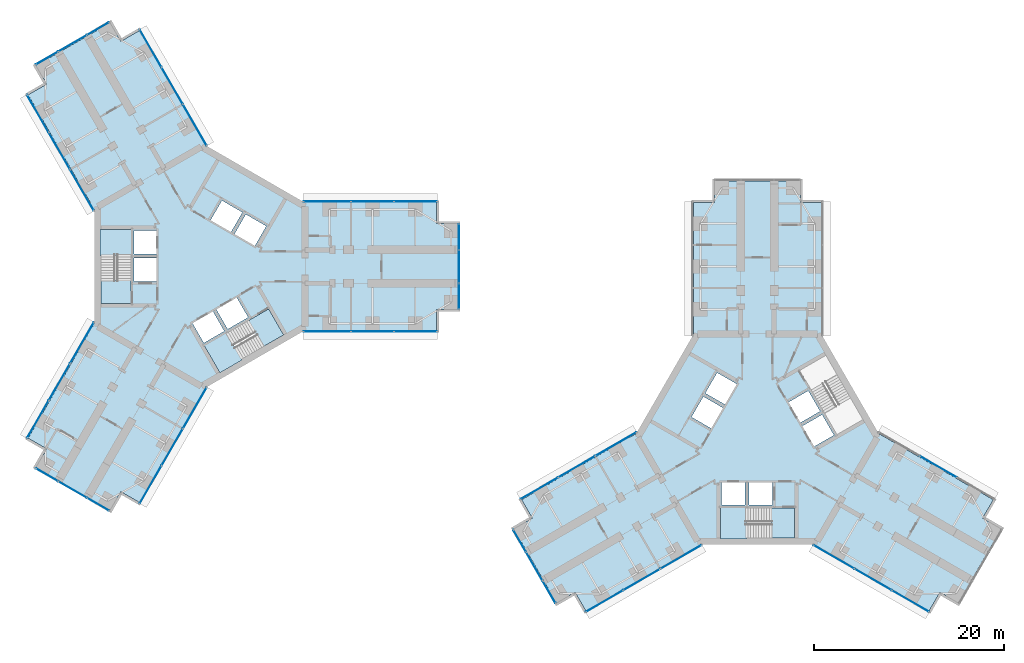
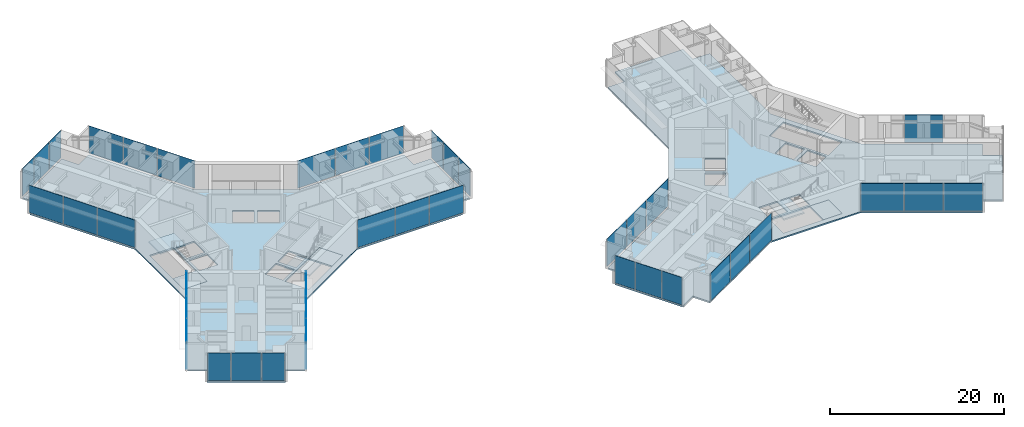
# One storey, part 14 of 23: 40 plates, 8 slabs, 17 elements without a shape of their own.
"""IFC4 building model written with IfcOpenShell, lengths in metres."""

from ifc_helpers import new_model, si_unit, direction, frame, origin, origin_2d, place, context, subcontext, project, spatial, polyline, rectangle, outline, extrude, material, layer, layer_set, type_object, element, aggregate, save


model = new_model("IFC4")

# Units and contexts
model_context = context("Model", 3, precision=1e-05, world=origin(), true_north=direction((0.0, 1.0)))
body_context = subcontext(model_context, "Body", "Model", "MODEL_VIEW")
ifc_project = project(units=[si_unit("LENGTHUNIT", "METRE"), si_unit("AREAUNIT", "SQUARE_METRE"), si_unit("VOLUMEUNIT", "CUBIC_METRE"), si_unit("PLANEANGLEUNIT", "RADIAN"), si_unit("MASSUNIT", "GRAM", prefix="KILO")], contexts=[model_context])

# Site, building, storey
site_placement = place(None, origin())
site = spatial("IfcSite", under=ifc_project, at=site_placement, CompositionType="ELEMENT")
building_placement = place(site_placement, origin())
building = spatial("IfcBuilding", under=site, at=building_placement, Name="Upepo Twin Towers", CompositionType="ELEMENT")
storey_placement = place(building_placement, frame((0.0, 0.0, 24.5)))
storey = spatial("IfcBuildingStorey", under=building, at=storey_placement, Name="L05", CompositionType="ELEMENT", Elevation=24.5)

# Curtain wall, plates
ifc_material_1 = material(Name="Aluminium and fritted glass", Category="aluminium")
curtain_wall_type = type_object("IfcCurtainWallType", Name="Tower curtain wall TW1, fritted glass", PredefinedType="NOTDEFINED", material=ifc_material_1)
curtain_wall_1_placement = place(storey_placement, origin())
curtain_wall_1 = element("IfcCurtainWall", 1, at=curtain_wall_1_placement, inside=storey, type_object=curtain_wall_type, Name="T1 L05 wing A flank L curtain wall", PredefinedType="NOTDEFINED")
ifc_material_2 = material(Name="Ceramic-fritted laminated glass", Category="glass")
ifc_layer_1 = layer(ifc_material_2, 0.031982421875)
ifc_layer_set_1 = layer_set([ifc_layer_1], Name="Fritted glass panel, 20 per cent dot frit, 32 mm double glazed")
plate_type_1 = type_object("IfcPlateType", Name="Fritted glass panel, 20 per cent dot frit, 32 mm double glazed", PredefinedType="CURTAIN_PANEL", material=ifc_layer_set_1)
plate_1_placement = place(storey_placement, frame((13.23486328125, 6.85009765625, 0.14990234375), z_axis=(0.0, 0.0, 1.0), x_axis=(1.0, 0.0, 0.0)))
plate_1 = element("IfcPlate", 2, at=plate_1_placement, type_object=plate_type_1, Name="T1 L05 wing A flank L curtain wall panel 1", PredefinedType="CURTAIN_PANEL", context=body_context, shape_type="SweptSolid", body=[
    extrude(rectangle(XDim=4.96533203125, YDim=0.031982421875, at=origin_2d()), origin(), (0.0, 0.0, 1.0), 3.85009765625),
])
plate_2_placement = place(storey_placement, frame((18.0, 6.85009765625, 0.14990234375), z_axis=(0.0, 0.0, 1.0), x_axis=(1.0, 0.0, 0.0)))
plate_2 = element("IfcPlate", 3, at=plate_2_placement, type_object=plate_type_1, Name="T1 L05 wing A flank L curtain wall panel 2", PredefinedType="CURTAIN_PANEL", context=body_context, shape_type="SweptSolid", body=[
    extrude(rectangle(XDim=4.43505859375, YDim=0.031982421875, at=origin_2d()), origin(), (0.0, 0.0, 1.0), 3.85009765625),
])
plate_3_placement = place(storey_placement, frame((22.53369140625, 6.85009765625, 0.14990234375), z_axis=(0.0, 0.0, 1.0), x_axis=(1.0, 0.0, 0.0)))
plate_3 = element("IfcPlate", 4, at=plate_3_placement, type_object=plate_type_1, Name="T1 L05 wing A flank L curtain wall panel 3", PredefinedType="CURTAIN_PANEL", context=body_context, shape_type="SweptSolid", body=[
    extrude(rectangle(XDim=4.50244140625, YDim=0.031982421875, at=origin_2d()), origin(), (0.0, 0.0, 1.0), 3.85009765625),
])
aggregate(curtain_wall_1, [plate_1, plate_2, plate_3])

curtain_wall_2_placement = place(storey_placement, origin())
curtain_wall_2 = element("IfcCurtainWall", 5, at=curtain_wall_2_placement, inside=storey, type_object=curtain_wall_type, Name="T1 L05 wing A flank R curtain wall", PredefinedType="NOTDEFINED")
plate_4_placement = place(storey_placement, frame((22.53369140625, -6.85009765625, 0.14990234375), z_axis=(0.0, 0.0, 1.0), x_axis=(-1.0, 0.0, 0.0)))
plate_4 = element("IfcPlate", 6, at=plate_4_placement, type_object=plate_type_1, Name="T1 L05 wing A flank R curtain wall panel 1", PredefinedType="CURTAIN_PANEL", context=body_context, shape_type="SweptSolid", body=[
    extrude(rectangle(XDim=4.50244140625, YDim=0.031982421875, at=origin_2d()), origin(), (0.0, 0.0, 1.0), 3.85009765625),
])
plate_5_placement = place(storey_placement, frame((18.0, -6.85009765625, 0.14990234375), z_axis=(0.0, 0.0, 1.0), x_axis=(-1.0, 0.0, 0.0)))
plate_5 = element("IfcPlate", 7, at=plate_5_placement, type_object=plate_type_1, Name="T1 L05 wing A flank R curtain wall panel 2", PredefinedType="CURTAIN_PANEL", context=body_context, shape_type="SweptSolid", body=[
    extrude(rectangle(XDim=4.43505859375, YDim=0.031982421875, at=origin_2d()), origin(), (0.0, 0.0, 1.0), 3.85009765625),
])
plate_6_placement = place(storey_placement, frame((13.23486328125, -6.85009765625, 0.14990234375), z_axis=(0.0, 0.0, 1.0), x_axis=(-1.0, 0.0, 0.0)))
plate_6 = element("IfcPlate", 8, at=plate_6_placement, type_object=plate_type_1, Name="T1 L05 wing A flank R curtain wall panel 3", PredefinedType="CURTAIN_PANEL", context=body_context, shape_type="SweptSolid", body=[
    extrude(rectangle(XDim=4.96533203125, YDim=0.031982421875, at=origin_2d()), origin(), (0.0, 0.0, 1.0), 3.85009765625),
])
aggregate(curtain_wall_2, [plate_4, plate_5, plate_6])

# Curtain wall, plate
curtain_wall_3_placement = place(storey_placement, origin())
curtain_wall_3 = element("IfcCurtainWall", 9, at=curtain_wall_3_placement, inside=storey, type_object=curtain_wall_type, Name="T1 L05 wing A nose curtain wall", PredefinedType="NOTDEFINED")
plate_7_placement = place(storey_placement, frame((27.10009765625, 0.0, 0.14990234375), z_axis=(0.0, 0.0, 1.0), x_axis=(0.0, 1.0, 0.0)))
plate_7 = element("IfcPlate", 10, at=plate_7_placement, type_object=plate_type_1, Name="T1 L05 wing A nose curtain wall panel 2", PredefinedType="CURTAIN_PANEL", context=body_context, shape_type="SweptSolid", body=[
    extrude(rectangle(XDim=3.43505859375, YDim=0.031982421875, at=origin_2d()), origin(), (0.0, 0.0, 1.0), 3.85009765625),
])

# Curtain wall, plates
curtain_wall_4_placement = place(storey_placement, origin())
curtain_wall_4 = element("IfcCurtainWall", 11, at=curtain_wall_4_placement, inside=storey, type_object=curtain_wall_type, Name="T1 L05 wing B flank L curtain wall", PredefinedType="NOTDEFINED")
plate_8_placement = place(storey_placement, frame((-12.549560546875, 8.03662109375, 0.14990234375), z_axis=(0.0, 0.0, 1.0), x_axis=(-0.500000024426, 0.866025389682, 0.0)))
plate_8 = element("IfcPlate", 12, at=plate_8_placement, type_object=plate_type_1, Name="T1 L05 wing B flank L curtain wall panel 1", PredefinedType="CURTAIN_PANEL", context=body_context, shape_type="SweptSolid", body=[
    extrude(rectangle(XDim=4.96533203125, YDim=0.031982421875, at=origin_2d()), origin(), (0.0, 0.0, 1.0), 3.85009765625),
])
plate_9_placement = place(storey_placement, frame((-14.932373046875, 12.16357421875, 0.14990234375), z_axis=(0.0, 0.0, 1.0), x_axis=(-0.500000024426, 0.866025389682, 0.0)))
plate_9 = element("IfcPlate", 13, at=plate_9_placement, type_object=plate_type_1, Name="T1 L05 wing B flank L curtain wall panel 2", PredefinedType="CURTAIN_PANEL", context=body_context, shape_type="SweptSolid", body=[
    extrude(rectangle(XDim=4.43505859375, YDim=0.031982421875, at=origin_2d()), origin(), (0.0, 0.0, 1.0), 3.85009765625),
])
plate_10_placement = place(storey_placement, frame((-17.19921875, 16.08984375, 0.14990234375), z_axis=(0.0, 0.0, 1.0), x_axis=(-0.500000024426, 0.866025389682, 0.0)))
plate_10 = element("IfcPlate", 14, at=plate_10_placement, type_object=plate_type_1, Name="T1 L05 wing B flank L curtain wall panel 3", PredefinedType="CURTAIN_PANEL", context=body_context, shape_type="SweptSolid", body=[
    extrude(rectangle(XDim=4.50244140625, YDim=0.031982421875, at=origin_2d()), origin(), (0.0, 0.0, 1.0), 3.85009765625),
])
aggregate(curtain_wall_4, [plate_8, plate_9, plate_10])

curtain_wall_5_placement = place(storey_placement, origin())
curtain_wall_5 = element("IfcCurtainWall", 15, at=curtain_wall_5_placement, inside=storey, type_object=curtain_wall_type, Name="T1 L05 wing B flank R curtain wall", PredefinedType="NOTDEFINED")
plate_11_placement = place(storey_placement, frame((-5.334716796875, 22.939697265625, 0.14990234375), z_axis=(0.0, 0.0, 1.0), x_axis=(0.500000024426, -0.866025389682, 0.0)))
plate_11 = element("IfcPlate", 16, at=plate_11_placement, type_object=plate_type_1, Name="T1 L05 wing B flank R curtain wall panel 1", PredefinedType="CURTAIN_PANEL", context=body_context, shape_type="SweptSolid", body=[
    extrude(rectangle(XDim=4.50244140625, YDim=0.031982421875, at=origin_2d()), origin(), (0.0, 0.0, 1.0), 3.85009765625),
])
plate_12_placement = place(storey_placement, frame((-3.067626953125, 19.013427734375, 0.14990234375), z_axis=(0.0, 0.0, 1.0), x_axis=(0.500000024426, -0.866025389682, 0.0)))
plate_12 = element("IfcPlate", 17, at=plate_12_placement, type_object=plate_type_1, Name="T1 L05 wing B flank R curtain wall panel 2", PredefinedType="CURTAIN_PANEL", context=body_context, shape_type="SweptSolid", body=[
    extrude(rectangle(XDim=4.43505859375, YDim=0.031982421875, at=origin_2d()), origin(), (0.0, 0.0, 1.0), 3.85009765625),
])
plate_13_placement = place(storey_placement, frame((-0.68505859375, 14.88671875, 0.14990234375), z_axis=(0.0, 0.0, 1.0), x_axis=(0.500000024426, -0.866025389682, 0.0)))
plate_13 = element("IfcPlate", 18, at=plate_13_placement, type_object=plate_type_1, Name="T1 L05 wing B flank R curtain wall panel 3", PredefinedType="CURTAIN_PANEL", context=body_context, shape_type="SweptSolid", body=[
    extrude(rectangle(XDim=4.96533203125, YDim=0.031982421875, at=origin_2d()), origin(), (0.0, 0.0, 1.0), 3.85009765625),
])
aggregate(curtain_wall_5, [plate_11, plate_12, plate_13])

# Curtain wall, plate
curtain_wall_6_placement = place(storey_placement, origin())
curtain_wall_6 = element("IfcCurtainWall", 19, at=curtain_wall_6_placement, inside=storey, type_object=curtain_wall_type, Name="T1 L05 wing B nose curtain wall", PredefinedType="NOTDEFINED")
plate_14_placement = place(storey_placement, frame((-13.550048828125, 23.46923828125, 0.14990234375), z_axis=(0.0, 0.0, 1.0), x_axis=(-0.866025386174, -0.500000030502, 0.0)))
plate_14 = element("IfcPlate", 20, at=plate_14_placement, type_object=plate_type_1, Name="T1 L05 wing B nose curtain wall panel 2", PredefinedType="CURTAIN_PANEL", context=body_context, shape_type="SweptSolid", body=[
    extrude(rectangle(XDim=3.43505859375, YDim=0.031982421875, at=origin_2d()), origin(), (0.0, 0.0, 1.0), 3.85009765625),
])

# Curtain wall, plates
curtain_wall_7_placement = place(storey_placement, origin())
curtain_wall_7 = element("IfcCurtainWall", 21, at=curtain_wall_7_placement, inside=storey, type_object=curtain_wall_type, Name="T1 L05 wing C flank L curtain wall", PredefinedType="NOTDEFINED")
plate_15_placement = place(storey_placement, frame((-0.68505859375, -14.88671875, 0.14990234375), z_axis=(0.0, 0.0, 1.0), x_axis=(-0.500000024426, -0.866025389682, 0.0)))
plate_15 = element("IfcPlate", 22, at=plate_15_placement, type_object=plate_type_1, Name="T1 L05 wing C flank L curtain wall panel 1", PredefinedType="CURTAIN_PANEL", context=body_context, shape_type="SweptSolid", body=[
    extrude(rectangle(XDim=4.96533203125, YDim=0.031982421875, at=origin_2d()), origin(), (0.0, 0.0, 1.0), 3.85009765625),
])
plate_16_placement = place(storey_placement, frame((-3.067626953125, -19.013427734375, 0.14990234375), z_axis=(0.0, 0.0, 1.0), x_axis=(-0.500000024426, -0.866025389682, 0.0)))
plate_16 = element("IfcPlate", 23, at=plate_16_placement, type_object=plate_type_1, Name="T1 L05 wing C flank L curtain wall panel 2", PredefinedType="CURTAIN_PANEL", context=body_context, shape_type="SweptSolid", body=[
    extrude(rectangle(XDim=4.43505859375, YDim=0.031982421875, at=origin_2d()), origin(), (0.0, 0.0, 1.0), 3.85009765625),
])
plate_17_placement = place(storey_placement, frame((-5.334716796875, -22.939697265625, 0.14990234375), z_axis=(0.0, 0.0, 1.0), x_axis=(-0.500000024426, -0.866025389682, 0.0)))
plate_17 = element("IfcPlate", 24, at=plate_17_placement, type_object=plate_type_1, Name="T1 L05 wing C flank L curtain wall panel 3", PredefinedType="CURTAIN_PANEL", context=body_context, shape_type="SweptSolid", body=[
    extrude(rectangle(XDim=4.50244140625, YDim=0.031982421875, at=origin_2d()), origin(), (0.0, 0.0, 1.0), 3.85009765625),
])
aggregate(curtain_wall_7, [plate_15, plate_16, plate_17])

curtain_wall_8_placement = place(storey_placement, origin())
curtain_wall_8 = element("IfcCurtainWall", 25, at=curtain_wall_8_placement, inside=storey, type_object=curtain_wall_type, Name="T1 L05 wing C flank R curtain wall", PredefinedType="NOTDEFINED")
plate_18_placement = place(storey_placement, frame((-17.19921875, -16.08984375, 0.14990234375), z_axis=(0.0, 0.0, 1.0), x_axis=(0.500000024426, 0.866025389682, 0.0)))
plate_18 = element("IfcPlate", 26, at=plate_18_placement, type_object=plate_type_1, Name="T1 L05 wing C flank R curtain wall panel 1", PredefinedType="CURTAIN_PANEL", context=body_context, shape_type="SweptSolid", body=[
    extrude(rectangle(XDim=4.50244140625, YDim=0.031982421875, at=origin_2d()), origin(), (0.0, 0.0, 1.0), 3.85009765625),
])
plate_19_placement = place(storey_placement, frame((-14.932373046875, -12.16357421875, 0.14990234375), z_axis=(0.0, 0.0, 1.0), x_axis=(0.500000024426, 0.866025389682, 0.0)))
plate_19 = element("IfcPlate", 27, at=plate_19_placement, type_object=plate_type_1, Name="T1 L05 wing C flank R curtain wall panel 2", PredefinedType="CURTAIN_PANEL", context=body_context, shape_type="SweptSolid", body=[
    extrude(rectangle(XDim=4.43505859375, YDim=0.031982421875, at=origin_2d()), origin(), (0.0, 0.0, 1.0), 3.85009765625),
])
plate_20_placement = place(storey_placement, frame((-12.549560546875, -8.03662109375, 0.14990234375), z_axis=(0.0, 0.0, 1.0), x_axis=(0.500000024426, 0.866025389682, 0.0)))
plate_20 = element("IfcPlate", 28, at=plate_20_placement, type_object=plate_type_1, Name="T1 L05 wing C flank R curtain wall panel 3", PredefinedType="CURTAIN_PANEL", context=body_context, shape_type="SweptSolid", body=[
    extrude(rectangle(XDim=4.96533203125, YDim=0.031982421875, at=origin_2d()), origin(), (0.0, 0.0, 1.0), 3.85009765625),
])
aggregate(curtain_wall_8, [plate_18, plate_19, plate_20])

# Curtain wall, plate
curtain_wall_9_placement = place(storey_placement, origin())
curtain_wall_9 = element("IfcCurtainWall", 29, at=curtain_wall_9_placement, inside=storey, type_object=curtain_wall_type, Name="T1 L05 wing C nose curtain wall", PredefinedType="NOTDEFINED")
plate_21_placement = place(storey_placement, frame((-13.550048828125, -23.46923828125, 0.14990234375), z_axis=(0.0, 0.0, 1.0), x_axis=(0.866025386174, -0.500000030502, 0.0)))
plate_21 = element("IfcPlate", 30, at=plate_21_placement, type_object=plate_type_1, Name="T1 L05 wing C nose curtain wall panel 2", PredefinedType="CURTAIN_PANEL", context=body_context, shape_type="SweptSolid", body=[
    extrude(rectangle(XDim=3.43505859375, YDim=0.031982421875, at=origin_2d()), origin(), (0.0, 0.0, 1.0), 3.85009765625),
])

# Curtain wall, plates
curtain_wall_10_placement = place(storey_placement, origin())
curtain_wall_10 = element("IfcCurtainWall", 31, at=curtain_wall_10_placement, inside=storey, type_object=curtain_wall_type, Name="T2 L05 wing B flank L curtain wall", PredefinedType="NOTDEFINED")
plate_22_placement = place(storey_placement, frame((50.46337890625, -30.549560546875, 0.14990234375), z_axis=(0.0, 0.0, 1.0), x_axis=(-0.866025389682, -0.500000024426, 0.0)))
plate_22 = element("IfcPlate", 32, at=plate_22_placement, type_object=plate_type_1, Name="T2 L05 wing B flank L curtain wall panel 1", PredefinedType="CURTAIN_PANEL", context=body_context, shape_type="SweptSolid", body=[
    extrude(rectangle(XDim=4.96533203125, YDim=0.031982421875, at=origin_2d()), origin(), (0.0, 0.0, 1.0), 3.85009765625),
])
plate_23_placement = place(storey_placement, frame((46.33642578125, -32.932373046875, 0.14990234375), z_axis=(0.0, 0.0, 1.0), x_axis=(-0.866025389682, -0.500000024426, 0.0)))
plate_23 = element("IfcPlate", 33, at=plate_23_placement, type_object=plate_type_1, Name="T2 L05 wing B flank L curtain wall panel 2", PredefinedType="CURTAIN_PANEL", context=body_context, shape_type="SweptSolid", body=[
    extrude(rectangle(XDim=4.43505859375, YDim=0.031982421875, at=origin_2d()), origin(), (0.0, 0.0, 1.0), 3.85009765625),
])
plate_24_placement = place(storey_placement, frame((42.41015625, -35.19921875, 0.14990234375), z_axis=(0.0, 0.0, 1.0), x_axis=(-0.866025389682, -0.500000024426, 0.0)))
plate_24 = element("IfcPlate", 34, at=plate_24_placement, type_object=plate_type_1, Name="T2 L05 wing B flank L curtain wall panel 3", PredefinedType="CURTAIN_PANEL", context=body_context, shape_type="SweptSolid", body=[
    extrude(rectangle(XDim=4.50244140625, YDim=0.031982421875, at=origin_2d()), origin(), (0.0, 0.0, 1.0), 3.85009765625),
])
aggregate(curtain_wall_10, [plate_22, plate_23, plate_24])

curtain_wall_11_placement = place(storey_placement, origin())
curtain_wall_11 = element("IfcCurtainWall", 35, at=curtain_wall_11_placement, inside=storey, type_object=curtain_wall_type, Name="T2 L05 wing B flank R curtain wall", PredefinedType="NOTDEFINED")
plate_25_placement = place(storey_placement, frame((35.560302734375, -23.334716796875, 0.14990234375), z_axis=(0.0, 0.0, 1.0), x_axis=(0.866025389682, 0.500000024426, 0.0)))
plate_25 = element("IfcPlate", 36, at=plate_25_placement, type_object=plate_type_1, Name="T2 L05 wing B flank R curtain wall panel 1", PredefinedType="CURTAIN_PANEL", context=body_context, shape_type="SweptSolid", body=[
    extrude(rectangle(XDim=4.50244140625, YDim=0.031982421875, at=origin_2d()), origin(), (0.0, 0.0, 1.0), 3.85009765625),
])
plate_26_placement = place(storey_placement, frame((39.486572265625, -21.067626953125, 0.14990234375), z_axis=(0.0, 0.0, 1.0), x_axis=(0.866025389682, 0.500000024426, 0.0)))
plate_26 = element("IfcPlate", 37, at=plate_26_placement, type_object=plate_type_1, Name="T2 L05 wing B flank R curtain wall panel 2", PredefinedType="CURTAIN_PANEL", context=body_context, shape_type="SweptSolid", body=[
    extrude(rectangle(XDim=4.43505859375, YDim=0.031982421875, at=origin_2d()), origin(), (0.0, 0.0, 1.0), 3.85009765625),
])
plate_27_placement = place(storey_placement, frame((43.61328125, -18.68505859375, 0.14990234375), z_axis=(0.0, 0.0, 1.0), x_axis=(0.866025389682, 0.500000024426, 0.0)))
plate_27 = element("IfcPlate", 38, at=plate_27_placement, type_object=plate_type_1, Name="T2 L05 wing B flank R curtain wall panel 3", PredefinedType="CURTAIN_PANEL", context=body_context, shape_type="SweptSolid", body=[
    extrude(rectangle(XDim=4.96533203125, YDim=0.031982421875, at=origin_2d()), origin(), (0.0, 0.0, 1.0), 3.85009765625),
])
aggregate(curtain_wall_11, [plate_25, plate_26, plate_27])

# Curtain wall, plate
curtain_wall_12_placement = place(storey_placement, origin())
curtain_wall_12 = element("IfcCurtainWall", 39, at=curtain_wall_12_placement, inside=storey, type_object=curtain_wall_type, Name="T2 L05 wing B nose curtain wall", PredefinedType="NOTDEFINED")
plate_28_placement = place(storey_placement, frame((35.03076171875, -31.550048828125, 0.14990234375), z_axis=(0.0, 0.0, 1.0), x_axis=(0.500000030502, -0.866025386174, 0.0)))
plate_28 = element("IfcPlate", 40, at=plate_28_placement, type_object=plate_type_1, Name="T2 L05 wing B nose curtain wall panel 2", PredefinedType="CURTAIN_PANEL", context=body_context, shape_type="SweptSolid", body=[
    extrude(rectangle(XDim=3.43505859375, YDim=0.031982421875, at=origin_2d()), origin(), (0.0, 0.0, 1.0), 3.85009765625),
])

curtain_wall_13_placement = place(storey_placement, origin())
curtain_wall_13 = element("IfcCurtainWall", 41, at=curtain_wall_13_placement, inside=storey, type_object=curtain_wall_type, Name="T2 L05 wing C flank L curtain wall", PredefinedType="NOTDEFINED")
plate_29_placement = place(storey_placement, frame((77.513427734375, -21.067626953125, 0.14990234375), z_axis=(0.0, 0.0, 1.0), x_axis=(0.866025389682, -0.500000024426, 0.0)))
plate_29 = element("IfcPlate", 42, at=plate_29_placement, type_object=plate_type_1, Name="T2 L05 wing C flank L curtain wall panel 2", PredefinedType="CURTAIN_PANEL", context=body_context, shape_type="SweptSolid", body=[
    extrude(rectangle(XDim=4.43505859375, YDim=0.031982421875, at=origin_2d()), origin(), (0.0, 0.0, 1.0), 3.85009765625),
])
aggregate(curtain_wall_13, [plate_29])

# Curtain wall, plates
curtain_wall_14_placement = place(storey_placement, origin())
curtain_wall_14 = element("IfcCurtainWall", 43, at=curtain_wall_14_placement, inside=storey, type_object=curtain_wall_type, Name="T2 L05 wing C flank R curtain wall", PredefinedType="NOTDEFINED")
plate_30_placement = place(storey_placement, frame((74.58984375, -35.19921875, 0.14990234375), z_axis=(0.0, 0.0, 1.0), x_axis=(-0.866025389682, 0.500000024426, 0.0)))
plate_30 = element("IfcPlate", 44, at=plate_30_placement, type_object=plate_type_1, Name="T2 L05 wing C flank R curtain wall panel 1", PredefinedType="CURTAIN_PANEL", context=body_context, shape_type="SweptSolid", body=[
    extrude(rectangle(XDim=4.50244140625, YDim=0.031982421875, at=origin_2d()), origin(), (0.0, 0.0, 1.0), 3.85009765625),
])
plate_31_placement = place(storey_placement, frame((70.66357421875, -32.932373046875, 0.14990234375), z_axis=(0.0, 0.0, 1.0), x_axis=(-0.866025389682, 0.500000024426, 0.0)))
plate_31 = element("IfcPlate", 45, at=plate_31_placement, type_object=plate_type_1, Name="T2 L05 wing C flank R curtain wall panel 2", PredefinedType="CURTAIN_PANEL", context=body_context, shape_type="SweptSolid", body=[
    extrude(rectangle(XDim=4.43505859375, YDim=0.031982421875, at=origin_2d()), origin(), (0.0, 0.0, 1.0), 3.85009765625),
])
plate_32_placement = place(storey_placement, frame((66.53662109375, -30.549560546875, 0.14990234375), z_axis=(0.0, 0.0, 1.0), x_axis=(-0.866025389682, 0.500000024426, 0.0)))
plate_32 = element("IfcPlate", 46, at=plate_32_placement, type_object=plate_type_1, Name="T2 L05 wing C flank R curtain wall panel 3", PredefinedType="CURTAIN_PANEL", context=body_context, shape_type="SweptSolid", body=[
    extrude(rectangle(XDim=4.96533203125, YDim=0.031982421875, at=origin_2d()), origin(), (0.0, 0.0, 1.0), 3.85009765625),
])
aggregate(curtain_wall_14, [plate_30, plate_31, plate_32])

# Plate
ifc_material_3 = material(Name="Clear laminated glass in opening sash", Category="glass")
ifc_layer_2 = layer(ifc_material_3, 0.031982421875)
ifc_layer_set_2 = layer_set([ifc_layer_2], Name="Operable glass panel, 32 mm double glazed")
plate_type_2 = type_object("IfcPlateType", Name="Operable glass panel, 32 mm double glazed", PredefinedType="CURTAIN_PANEL", material=ifc_layer_set_2)
plate_33_placement = place(storey_placement, frame((27.10009765625, -3.108642578125, 0.14990234375), z_axis=(0.0, 0.0, 1.0), x_axis=(0.0, 1.0, 0.0)))
plate_33 = element("IfcPlate", 47, at=plate_33_placement, type_object=plate_type_2, Name="T1 L05 wing A nose curtain wall panel 1", PredefinedType="CURTAIN_PANEL", context=body_context, shape_type="SweptSolid", body=[
    extrude(rectangle(XDim=2.652587890625, YDim=0.031982421875, at=origin_2d()), origin(), (0.0, 0.0, 1.0), 3.85009765625),
])

plate_34_placement = place(storey_placement, frame((27.10009765625, 3.108642578125, 0.14990234375), z_axis=(0.0, 0.0, 1.0), x_axis=(0.0, 1.0, 0.0)))
plate_34 = element("IfcPlate", 48, at=plate_34_placement, type_object=plate_type_2, Name="T1 L05 wing A nose curtain wall panel 3", PredefinedType="CURTAIN_PANEL", context=body_context, shape_type="SweptSolid", body=[
    extrude(rectangle(XDim=2.652587890625, YDim=0.031982421875, at=origin_2d()), origin(), (0.0, 0.0, 1.0), 3.85009765625),
])

aggregate(curtain_wall_3, [plate_33, plate_7, plate_34])

plate_35_placement = place(storey_placement, frame((-10.857666015625, 25.023681640625, 0.14990234375), z_axis=(0.0, 0.0, 1.0), x_axis=(-0.866025386174, -0.500000030502, 0.0)))
plate_35 = element("IfcPlate", 49, at=plate_35_placement, type_object=plate_type_2, Name="T1 L05 wing B nose curtain wall panel 1", PredefinedType="CURTAIN_PANEL", context=body_context, shape_type="SweptSolid", body=[
    extrude(rectangle(XDim=2.652587890625, YDim=0.031982421875, at=origin_2d()), origin(), (0.0, 0.0, 1.0), 3.85009765625),
])

plate_36_placement = place(storey_placement, frame((-16.2421875, 21.914794921875, 0.14990234375), z_axis=(0.0, 0.0, 1.0), x_axis=(-0.866025386174, -0.500000030502, 0.0)))
plate_36 = element("IfcPlate", 50, at=plate_36_placement, type_object=plate_type_2, Name="T1 L05 wing B nose curtain wall panel 3", PredefinedType="CURTAIN_PANEL", context=body_context, shape_type="SweptSolid", body=[
    extrude(rectangle(XDim=2.652587890625, YDim=0.031982421875, at=origin_2d()), origin(), (0.0, 0.0, 1.0), 3.85009765625),
])

aggregate(curtain_wall_6, [plate_35, plate_14, plate_36])

plate_37_placement = place(storey_placement, frame((-16.2421875, -21.914794921875, 0.14990234375), z_axis=(0.0, 0.0, 1.0), x_axis=(0.866025386174, -0.500000030502, 0.0)))
plate_37 = element("IfcPlate", 51, at=plate_37_placement, type_object=plate_type_2, Name="T1 L05 wing C nose curtain wall panel 1", PredefinedType="CURTAIN_PANEL", context=body_context, shape_type="SweptSolid", body=[
    extrude(rectangle(XDim=2.652587890625, YDim=0.031982421875, at=origin_2d()), origin(), (0.0, 0.0, 1.0), 3.85009765625),
])

plate_38_placement = place(storey_placement, frame((-10.857666015625, -25.023681640625, 0.14990234375), z_axis=(0.0, 0.0, 1.0), x_axis=(0.866025386174, -0.500000030502, 0.0)))
plate_38 = element("IfcPlate", 52, at=plate_38_placement, type_object=plate_type_2, Name="T1 L05 wing C nose curtain wall panel 3", PredefinedType="CURTAIN_PANEL", context=body_context, shape_type="SweptSolid", body=[
    extrude(rectangle(XDim=2.652587890625, YDim=0.031982421875, at=origin_2d()), origin(), (0.0, 0.0, 1.0), 3.85009765625),
])

aggregate(curtain_wall_9, [plate_37, plate_21, plate_38])

plate_39_placement = place(storey_placement, frame((33.476318359375, -28.857666015625, 0.14990234375), z_axis=(0.0, 0.0, 1.0), x_axis=(0.500000030502, -0.866025386174, 0.0)))
plate_39 = element("IfcPlate", 53, at=plate_39_placement, type_object=plate_type_2, Name="T2 L05 wing B nose curtain wall panel 1", PredefinedType="CURTAIN_PANEL", context=body_context, shape_type="SweptSolid", body=[
    extrude(rectangle(XDim=2.652587890625, YDim=0.031982421875, at=origin_2d()), origin(), (0.0, 0.0, 1.0), 3.85009765625),
])

plate_40_placement = place(storey_placement, frame((36.585205078125, -34.2421875, 0.14990234375), z_axis=(0.0, 0.0, 1.0), x_axis=(0.500000030502, -0.866025386174, 0.0)))
plate_40 = element("IfcPlate", 54, at=plate_40_placement, type_object=plate_type_2, Name="T2 L05 wing B nose curtain wall panel 3", PredefinedType="CURTAIN_PANEL", context=body_context, shape_type="SweptSolid", body=[
    extrude(rectangle(XDim=2.652587890625, YDim=0.031982421875, at=origin_2d()), origin(), (0.0, 0.0, 1.0), 3.85009765625),
])

aggregate(curtain_wall_12, [plate_39, plate_28, plate_40])

# Stair, slabs
ifc_material_4 = material(Name="Concrete C40/50", Category="concrete")
stair_type = type_object("IfcStairType", Name="Core stair, two flights", PredefinedType="HALF_TURN_STAIR", material=ifc_material_4)
stair_1_placement = place(storey_placement, origin())
stair_1 = element("IfcStair", 55, at=stair_1_placement, inside=storey, type_object=stair_type, Name="T1 stair S1 L05", PredefinedType="HALF_TURN_STAIR")
ifc_material_5 = material(Name="Concrete C40/50", Category="concrete")
ifc_layer_3 = layer(ifc_material_5, 0.199951171875)
ifc_layer_set_3 = layer_set([ifc_layer_3], Name="Concrete C40/50")
slab_type_1 = type_object("IfcSlabType", Name="Stair landing 200 RC", PredefinedType="LANDING", material=ifc_layer_set_3)
slab_1_placement = place(storey_placement, frame((0.0, 0.0, -0.199951171875)))
slab_1 = element("IfcSlab", 56, at=slab_1_placement, type_object=slab_type_1, Name="Stair S1 landing 1", PredefinedType="LANDING", context=body_context, shape_type="SweptSolid", body=[
    extrude(outline(polyline([(-7.39990234375, -1.419921875), (-10.558349609375, -1.419921875), (-10.558349609375, -3.89990234375), (-7.39990234375, -3.89990234375), (-7.39990234375, -1.419921875)])), origin(), (0.0, 0.0, 1.0), 0.199951171875),
])
slab_2_placement = place(storey_placement, frame((0.0, 0.0, 1.800048828125)))
slab_2 = element("IfcSlab", 57, at=slab_2_placement, type_object=slab_type_1, Name="Stair S1 landing 2", PredefinedType="LANDING", context=body_context, shape_type="SweptSolid", body=[
    extrude(outline(polyline([(-7.300048828125, 3.89990234375), (-10.658447265625, 3.89990234375), (-10.658447265625, 1.179931640625), (-7.300048828125, 1.179931640625), (-7.300048828125, 3.89990234375)])), origin(), (0.0, 0.0, 1.0), 0.199951171875),
])
aggregate(stair_1, [slab_1, slab_2])

stair_2_placement = place(storey_placement, origin())
stair_2 = element("IfcStair", 58, at=stair_2_placement, inside=storey, type_object=stair_type, Name="T1 stair S2 L05", PredefinedType="HALF_TURN_STAIR")
slab_3_placement = place(storey_placement, frame((0.0, 0.0, -0.199951171875)))
slab_3 = element("IfcSlab", 59, at=slab_3_placement, type_object=slab_type_1, Name="Stair S2 landing 1", PredefinedType="LANDING", context=body_context, shape_type="SweptSolid", body=[
    extrude(outline(polyline([(4.9296875, -5.698486328125), (6.509033203125, -8.433837890625), (8.65673828125, -7.19384765625), (7.077392578125, -4.45849609375), (4.9296875, -5.698486328125)])), origin(), (0.0, 0.0, 1.0), 0.199951171875),
])
slab_4_placement = place(storey_placement, frame((0.0, 0.0, 1.800048828125)))
slab_4 = element("IfcSlab", 60, at=slab_4_placement, type_object=slab_type_1, Name="Stair S2 landing 2", PredefinedType="LANDING", context=body_context, shape_type="SweptSolid", body=[
    extrude(outline(polyline([(0.2724609375, -8.27197265625), (1.95166015625, -11.180419921875), (4.307373046875, -9.8203125), (2.628173828125, -6.911865234375), (0.2724609375, -8.27197265625)])), origin(), (0.0, 0.0, 1.0), 0.199951171875),
])
aggregate(stair_2, [slab_3, slab_4])

stair_3_placement = place(storey_placement, origin())
stair_3 = element("IfcStair", 61, at=stair_3_placement, inside=storey, type_object=stair_type, Name="T2 stair S1 L05", PredefinedType="HALF_TURN_STAIR")
slab_5_placement = place(storey_placement, frame((0.0, 0.0, -0.199951171875)))
slab_5 = element("IfcSlab", 62, at=slab_5_placement, type_object=slab_type_1, Name="Stair S1 landing 1", PredefinedType="LANDING", context=body_context, shape_type="SweptSolid", body=[
    extrude(outline(polyline([(59.919921875, -25.39990234375), (59.919921875, -28.558349609375), (62.39990234375, -28.558349609375), (62.39990234375, -25.39990234375), (59.919921875, -25.39990234375)])), origin(), (0.0, 0.0, 1.0), 0.199951171875),
])
slab_6_placement = place(storey_placement, frame((0.0, 0.0, 1.800048828125)))
slab_6 = element("IfcSlab", 63, at=slab_6_placement, type_object=slab_type_1, Name="Stair S1 landing 2", PredefinedType="LANDING", context=body_context, shape_type="SweptSolid", body=[
    extrude(outline(polyline([(54.60009765625, -25.300048828125), (54.60009765625, -28.658447265625), (57.320068359375, -28.658447265625), (57.320068359375, -25.300048828125), (54.60009765625, -25.300048828125)])), origin(), (0.0, 0.0, 1.0), 0.199951171875),
])
aggregate(stair_3, [slab_5, slab_6])

# Slabs
ifc_material_6 = material(Name="Concrete C40/50", Category="concrete")
ifc_layer_4 = layer(ifc_material_6, 0.199951171875)
ifc_layer_set_4 = layer_set([ifc_layer_4], Name="Concrete C40/50")
slab_type_2 = type_object("IfcSlabType", Name="Tower floor slab 200 RC", PredefinedType="FLOOR", material=ifc_layer_set_4)
slab_7_placement = place(storey_placement, frame((0.0, 0.0, -0.199951171875)))
element("IfcSlab", 64, at=slab_7_placement, inside=storey, type_object=slab_type_2, Name="T1 L05 floor slab", PredefinedType="FLOOR", context=body_context, shape_type="SweptSolid", body=[
    extrude(outline(polyline([(-8.477783203125, -23.68408203125), (-9.602783203125, -25.632568359375), (-17.397216796875, -21.132568359375), (-16.272216796875, -19.18408203125), (-18.220703125, -18.05908203125), (-11.25830078125, -6.0), (-11.25830078125, 6.0), (-18.220703125, 18.05908203125), (-16.272216796875, 19.18408203125), (-17.397216796875, 21.132568359375), (-9.602783203125, 25.632568359375), (-8.477783203125, 23.68408203125), (-6.529296875, 24.80908203125), (0.43310546875, 12.75), (10.825439453125, 6.75), (24.75, 6.75), (24.75, 4.5), (27.0, 4.5), (27.0, -4.5), (24.75, -4.5), (24.75, -6.75), (10.825439453125, -6.75), (0.43310546875, -12.75), (-6.529296875, -24.80908203125), (-8.477783203125, -23.68408203125)]), holes=[polyline([(5.640869140625, 2.17041015625), (6.8408203125, 4.248779296875), (4.67578125, 5.498779296875), (3.475830078125, 3.42041015625), (5.640869140625, 2.17041015625)]), polyline([(3.12939453125, 3.620361328125), (4.329345703125, 5.69873046875), (2.164306640625, 6.94873046875), (0.96435546875, 4.870361328125), (3.12939453125, 3.620361328125)]), polyline([(-4.699951171875, 3.800048828125), (-7.10009765625, 3.800048828125), (-7.10009765625, 1.300048828125), (-4.699951171875, 1.300048828125), (-4.699951171875, 3.800048828125)]), polyline([(-4.699951171875, 0.89990234375), (-7.10009765625, 0.89990234375), (-7.10009765625, -1.60009765625), (-4.699951171875, -1.60009765625), (-4.699951171875, 0.89990234375)]), polyline([(-7.39990234375, 3.89990234375), (-10.558349609375, 3.89990234375), (-10.558349609375, -3.89990234375), (-7.39990234375, -3.89990234375), (-7.39990234375, 3.89990234375)]), polyline([(-0.94091796875, -5.97021484375), (0.259033203125, -8.048828125), (2.424072265625, -6.798828125), (1.22412109375, -4.72021484375), (-0.94091796875, -5.97021484375)]), polyline([(1.570556640625, -4.520263671875), (2.7705078125, -6.598876953125), (4.935546875, -5.348876953125), (3.735595703125, -3.270263671875), (1.570556640625, -4.520263671875)]), polyline([(0.322509765625, -8.358642578125), (1.901611328125, -11.09375), (8.65673828125, -7.19384765625), (7.077392578125, -4.45849609375), (0.322509765625, -8.358642578125)])]), origin(), (0.0, 0.0, 1.0), 0.199951171875),
])
slab_8_placement = place(storey_placement, frame((0.0, 0.0, -0.199951171875)))
element("IfcSlab", 65, at=slab_8_placement, inside=storey, type_object=slab_type_2, Name="T2 L05 floor slab", PredefinedType="FLOOR", context=body_context, shape_type="SweptSolid", body=[
    extrude(outline(polyline([(82.18408203125, -26.477783203125), (84.132568359375, -27.602783203125), (79.632568359375, -35.397216796875), (77.68408203125, -34.272216796875), (76.55908203125, -36.220703125), (64.5, -29.25830078125), (52.5, -29.25830078125), (40.44091796875, -36.220703125), (39.31591796875, -34.272216796875), (37.367431640625, -35.397216796875), (32.867431640625, -27.602783203125), (34.81591796875, -26.477783203125), (33.69091796875, -24.529296875), (45.75, -17.56689453125), (51.75, -7.174560546875), (51.75, 6.75), (54.0, 6.75), (54.0, 9.0), (63.0, 9.0), (63.0, 6.75), (65.25, 6.75), (65.25, -7.174560546875), (71.25, -17.56689453125), (83.30908203125, -24.529296875), (82.18408203125, -26.477783203125)]), holes=[polyline([(56.32958984375, -12.359130859375), (54.251220703125, -11.1591796875), (53.001220703125, -13.32421875), (55.07958984375, -14.524169921875), (56.32958984375, -12.359130859375)]), polyline([(54.879638671875, -14.87060546875), (52.80126953125, -13.670654296875), (51.55126953125, -15.835693359375), (53.629638671875, -17.03564453125), (54.879638671875, -14.87060546875)]), polyline([(54.699951171875, -22.699951171875), (54.699951171875, -25.10009765625), (57.199951171875, -25.10009765625), (57.199951171875, -22.699951171875), (54.699951171875, -22.699951171875)]), polyline([(57.60009765625, -22.699951171875), (57.60009765625, -25.10009765625), (60.10009765625, -25.10009765625), (60.10009765625, -22.699951171875), (57.60009765625, -22.699951171875)]), polyline([(54.60009765625, -25.39990234375), (54.60009765625, -28.558349609375), (62.39990234375, -28.558349609375), (62.39990234375, -25.39990234375), (54.60009765625, -25.39990234375)]), polyline([(64.47021484375, -18.94091796875), (66.548828125, -17.740966796875), (65.298828125, -15.575927734375), (63.22021484375, -16.77587890625), (64.47021484375, -18.94091796875)]), polyline([(63.020263671875, -16.429443359375), (65.098876953125, -15.2294921875), (63.848876953125, -13.064453125), (61.770263671875, -14.264404296875), (63.020263671875, -16.429443359375)]), polyline([(66.858642578125, -17.677490234375), (69.59375, -16.098388671875), (65.69384765625, -9.34326171875), (62.95849609375, -10.922607421875), (66.858642578125, -17.677490234375)])]), origin(), (0.0, 0.0, 1.0), 0.199951171875),
])

save(model, "model.ifc")
